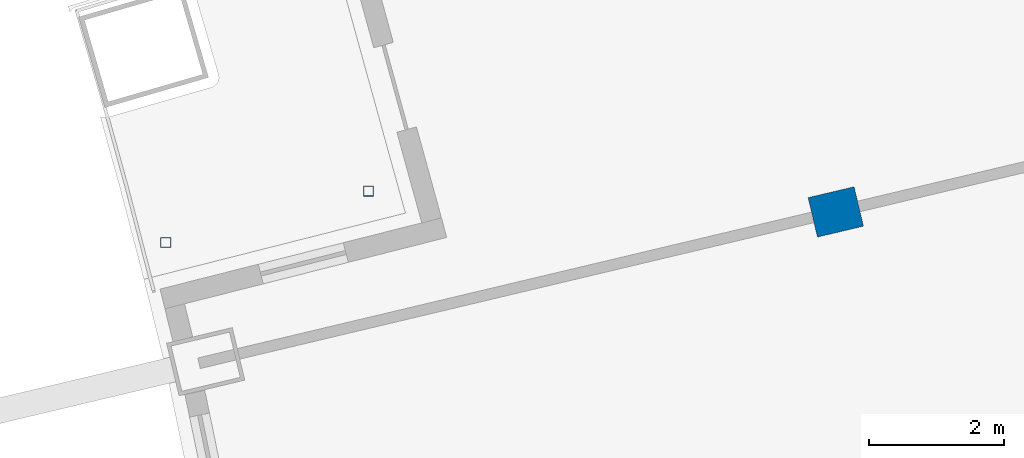
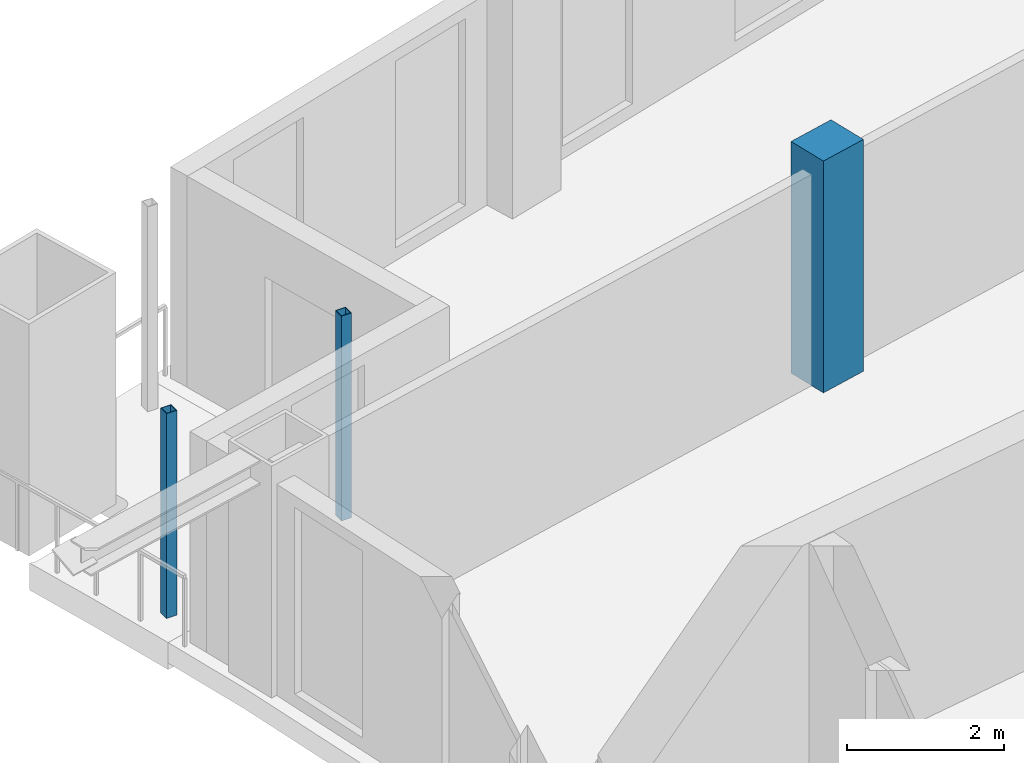
# One storey, part 3 of 15: 3 columns.
"""IFC4 building model written with IfcOpenShell, lengths in metres."""

from ifc_helpers import new_model, si_unit, direction, frame, origin, origin_2d, place, context, subcontext, project, spatial, rectangle, hollow_rectangle, extrude, material, material_profile, profile_set, type_object, element, save


model = new_model("IFC4")

# Units and contexts
model_context = context("Model", 3, precision=1e-05, world=origin(), true_north=direction((0.0, 1.0)))
body_context = subcontext(model_context, "Body", "Model", "MODEL_VIEW")
ifc_project = project(units=[si_unit("LENGTHUNIT", "METRE"), si_unit("AREAUNIT", "SQUARE_METRE"), si_unit("VOLUMEUNIT", "CUBIC_METRE"), si_unit("PLANEANGLEUNIT", "RADIAN"), si_unit("MASSUNIT", "GRAM", prefix="KILO")], contexts=[model_context])

# Site, building, storey
site_placement = place(None, origin())
site = spatial("IfcSite", under=ifc_project, at=site_placement, CompositionType="ELEMENT")
building_placement = place(site_placement, origin())
building = spatial("IfcBuilding", under=site, at=building_placement, Name="Alderwake Tower", CompositionType="ELEMENT")
storey_placement = place(building_placement, frame((0.0, 0.0, 252.800048828125)))
storey = spatial("IfcBuildingStorey", under=building, at=storey_placement, Name="L62", CompositionType="ELEMENT", Elevation=252.800048828125)

# Columns
ifc_material_1 = material(Name="Concrete C70/85", Category="concrete")
ifc_material_profile_1 = material_profile(ifc_material_1, rectangle(XDim=0.60009765625, YDim=0.699951171875, at=origin_2d()), Name="RC 700X600")
ifc_profile_set_1 = profile_set([ifc_material_profile_1], Name="Concrete C70/85")
column_type_1 = type_object("IfcColumnType", Name="Interior column Z5", PredefinedType="COLUMN", material=ifc_profile_set_1)
column_placement = place(storey_placement, frame((23.322021484375, 85.555908203125, 0.0), z_axis=(0.0, 0.0, 1.0), x_axis=(-0.231221547198, 0.972901123502, 0.0)))
element("IfcColumn", 1, at=column_placement, inside=storey, type_object=column_type_1, Name="Column R11-C1", PredefinedType="COLUMN", context=body_context, shape_type="SweptSolid", body=[
    extrude(rectangle(XDim=0.60009765625, YDim=0.699951171875, at=origin_2d()), origin(), (0.0, 0.0, 1.0), 3.599853515625),
])
ifc_material_2 = material(Name="Steel ASTM A500 Grade C", Category="steel")
ifc_material_profile_2 = material_profile(ifc_material_2, hollow_rectangle(XDim=0.15234375, YDim=0.15234375, WallThickness=0.0087890625, at=origin_2d()), Name="HSS6X6X3/8")
ifc_profile_set_2 = profile_set([ifc_material_profile_2], Name="Steel ASTM A500 Grade C")
column_type_2 = type_object("IfcColumnType", Name="Light post HSS6X6X3/8", PredefinedType="COLUMN", material=ifc_profile_set_2)
for number, where, z_axis, x_axis, name in (
    (2, (13.3896484375, 85.103515625, 0.0), (0.0, 0.0, 1.0), (1.0, 0.0, 0.0), "Terrace post RN1"),
    (3, (16.39501953125, 85.864013671875, 0.0), (0.0, 0.0, 1.0), (1.0, 0.0, 0.0), "Terrace post RN3"),
):
    element("IfcColumn", number, at=place(storey_placement, frame(where, z_axis=z_axis, x_axis=x_axis)), inside=storey, type_object=column_type_2, Name=name, PredefinedType="COLUMN", context=body_context, shape_type="SweptSolid", body=[
        extrude(hollow_rectangle(XDim=0.15234375, YDim=0.15234375, WallThickness=0.0087890625, at=origin_2d()), origin(), (0.0, 0.0, 1.0), 3.179931640625),
    ])

save(model, "model.ifc")
